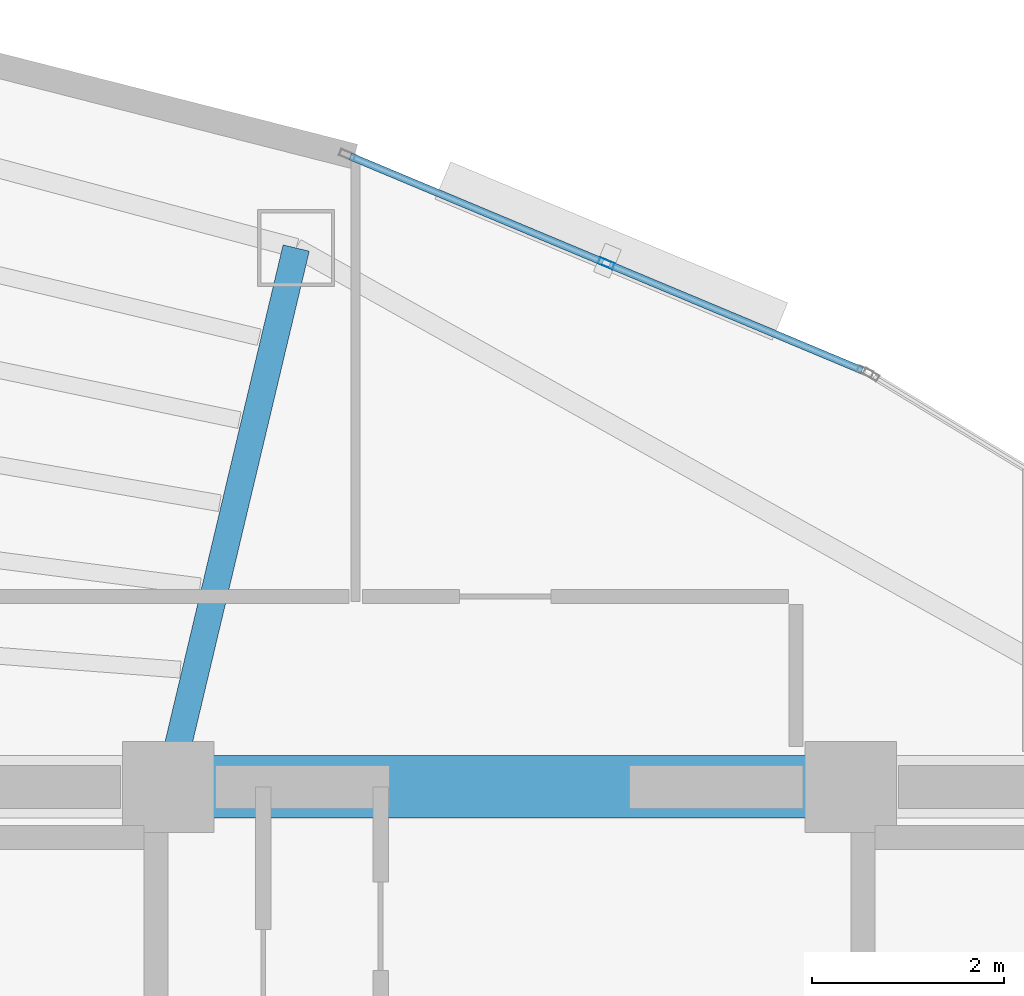
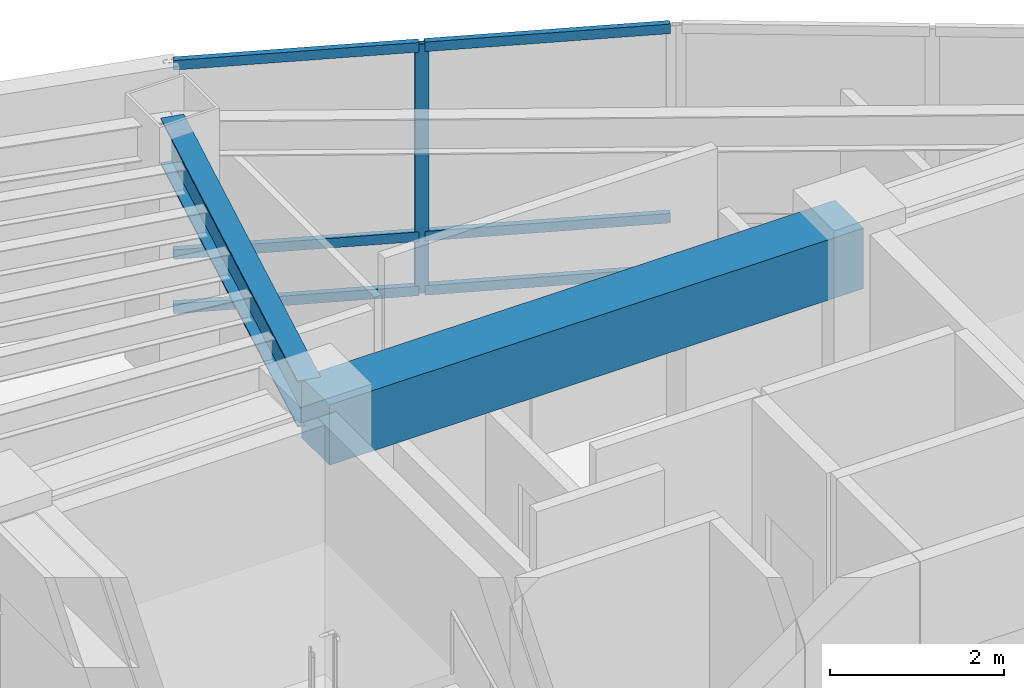
# One storey, part 8 of 15: 7 members, 2 beams, 1 element without a shape of its own.
"""IFC4 building model written with IfcOpenShell, lengths in metres."""

from ifc_helpers import new_model, si_unit, direction, frame, origin, origin_2d, place, context, subcontext, project, spatial, rectangle, hollow_rectangle, i_section, extrude, material, layer, layer_set, material_profile, profile_set, type_object, element, aggregate, save


model = new_model("IFC4")

# Units and contexts
model_context = context("Model", 3, precision=1e-05, world=origin(), true_north=direction((0.0, 1.0)))
body_context = subcontext(model_context, "Body", "Model", "MODEL_VIEW")
ifc_project = project(units=[si_unit("LENGTHUNIT", "METRE"), si_unit("AREAUNIT", "SQUARE_METRE"), si_unit("VOLUMEUNIT", "CUBIC_METRE"), si_unit("PLANEANGLEUNIT", "RADIAN"), si_unit("MASSUNIT", "GRAM", prefix="KILO")], contexts=[model_context])

# Site, building, storey
site_placement = place(None, origin())
site = spatial("IfcSite", under=ifc_project, at=site_placement, CompositionType="ELEMENT")
building_placement = place(site_placement, origin())
building = spatial("IfcBuilding", under=site, at=building_placement, Name="Menara Vayukalpa", CompositionType="ELEMENT")
storey_placement = place(building_placement, frame((0.0, 0.0, 291.780029296875)))
storey = spatial("IfcBuildingStorey", under=building, at=storey_placement, Name="L74", CompositionType="ELEMENT", Elevation=291.780029296875)

# Beams
ifc_material_1 = material(Name="Concrete C60/75", Category="concrete")
ifc_material_profile_1 = material_profile(ifc_material_1, rectangle(XDim=0.64990234375, YDim=0.85009765625, at=origin_2d()), Name="RC 650x850")
ifc_profile_set_1 = profile_set([ifc_material_profile_1], Name="Concrete C60/75")
beam_type_1 = type_object("IfcBeamType", Name="BM-CB1", PredefinedType="BEAM", material=ifc_profile_set_1)
beam_1_placement = place(storey_placement, frame((22.050048828125, 26.800048828125, 3.074951171875), z_axis=(1.0, 0.0, 0.0), x_axis=(0.0, 1.0, 0.0)))
element("IfcBeam", 1, at=beam_1_placement, inside=storey, type_object=beam_type_1, Name="L74 Core Tie Beam CBR5", PredefinedType="BEAM", context=body_context, shape_type="SweptSolid", body=[
    extrude(rectangle(XDim=0.64990234375, YDim=0.85009765625, at=origin_2d()), origin(), (0.0, 0.0, 1.0), 7.099853515625),
])
ifc_material_2 = material(Name="Steel S355", Category="steel")
ifc_material_profile_2 = material_profile(ifc_material_2, i_section(OverallWidth=0.280029296875, OverallDepth=0.64990234375, WebThickness=0.012939453125, FlangeThickness=0.02197265625, at=origin_2d()), Name="WF 650x280x13x22")
ifc_profile_set_2 = profile_set([ifc_material_profile_2], Name="Steel S355")
beam_type_2 = type_object("IfcBeamType", Name="BM-PG6", PredefinedType="BEAM", material=ifc_profile_set_2)
beam_2_placement = place(storey_placement, frame((22.10791015625, 27.043212890625, 3.175048828125), z_axis=(0.231167310854, 0.972914011818, 0.0), x_axis=(-0.972914011818, 0.231167310854, 0.0)))
element("IfcBeam", 2, at=beam_2_placement, inside=storey, type_object=beam_type_2, Name="L74 Primary Radial Girder RG03", PredefinedType="BEAM", context=body_context, shape_type="SweptSolid", body=[
    extrude(i_section(OverallWidth=0.280029296875, OverallDepth=0.64990234375, WebThickness=0.012939453125, FlangeThickness=0.02197265625, at=origin_2d()), origin(), (0.0, 0.0, 1.0), 5.5107421875),
])

# Curtain wall, members
ifc_material_3 = material(Name="Anodised Terracotta Aluminium Alloy 6063-T6", Category="masonry")
ifc_layer = layer(ifc_material_3, 0.1650390625)
ifc_layer_set = layer_set([ifc_layer], Name="Anodised Terracotta Aluminium Alloy 6063-T6")
curtain_wall_type = type_object("IfcCurtainWallType", Name="CW-CW6", PredefinedType="USERDEFINED", material=ifc_layer_set)
curtain_wall_placement = place(storey_placement, origin())
curtain_wall = element("IfcCurtainWall", 3, at=curtain_wall_placement, inside=storey, type_object=curtain_wall_type, Name="L74 Observation and Executive Curtain Wall CW6 05", ObjectType="UNITISED", PredefinedType="USERDEFINED")
ifc_material_4 = material(Name="Anodised Terracotta Aluminium Alloy 6063-T6", Category="masonry")
ifc_material_profile_3 = material_profile(ifc_material_4, hollow_rectangle(XDim=0.070068359375, YDim=0.1650390625, WallThickness=0.00390625, at=origin_2d()), Name="ALU 70x165x4")
ifc_profile_set_3 = profile_set([ifc_material_profile_3], Name="Anodised Terracotta Aluminium Alloy 6063-T6")
member_type_1 = type_object("IfcMemberType", Name="CWM-CW6", PredefinedType="MULLION", material=ifc_profile_set_3)
member_1_placement = place(storey_placement, frame((26.60595703125, 32.2451171875, 0.0), z_axis=(0.0, 0.0, 1.0), x_axis=(-0.385899911703, -0.922540653927, 0.0)))
member_1 = element("IfcMember", 4, at=member_1_placement, type_object=member_type_1, Name="CW6 mullion 2", PredefinedType="MULLION", context=body_context, shape_type="SweptSolid", body=[
    extrude(hollow_rectangle(XDim=0.070068359375, YDim=0.1650390625, WallThickness=0.00390625, at=origin_2d()), origin(), (0.0, 0.0, 1.0), 3.5),
])
ifc_material_5 = material(Name="Anodised Terracotta Aluminium Alloy 6063-T6", Category="masonry")
ifc_material_profile_4 = material_profile(ifc_material_5, hollow_rectangle(XDim=0.074951171875, YDim=0.135009765625, WallThickness=0.00390625, at=origin_2d()), Name="ALU 75x135x4")
ifc_profile_set_4 = profile_set([ifc_material_profile_4], Name="Anodised Terracotta Aluminium Alloy 6063-T6")
member_type_2 = type_object("IfcMemberType", Name="CWT-CW6", PredefinedType="USERDEFINED", material=ifc_profile_set_4)
member_2_placement = place(storey_placement, frame((29.266357421875, 31.13232421875, 0.037353515625), z_axis=(-0.922528286758, 0.385929475592, 0.0), x_axis=(-0.385929475592, -0.922528286758, 0.0)))
member_2 = element("IfcMember", 5, at=member_2_placement, type_object=member_type_2, Name="CW6 transom 1.1", ObjectType="TRANSOM", PredefinedType="USERDEFINED", context=body_context, shape_type="SweptSolid", body=[
    extrude(hollow_rectangle(XDim=0.074951171875, YDim=0.135009765625, WallThickness=0.00390625, at=origin_2d()), origin(), (0.0, 0.0, 1.0), 2.8486328125),
])
member_3_placement = place(storey_placement, frame((29.266357421875, 31.13232421875, 0.800048828125), z_axis=(-0.922528286758, 0.385929475592, 0.0), x_axis=(-0.385929475592, -0.922528286758, 0.0)))
member_3 = element("IfcMember", 6, at=member_3_placement, type_object=member_type_2, Name="CW6 transom 1.2", ObjectType="TRANSOM", PredefinedType="USERDEFINED", context=body_context, shape_type="SweptSolid", body=[
    extrude(hollow_rectangle(XDim=0.074951171875, YDim=0.135009765625, WallThickness=0.00390625, at=origin_2d()), origin(), (0.0, 0.0, 1.0), 2.8486328125),
])
member_4_placement = place(storey_placement, frame((29.266357421875, 31.13232421875, 3.46240234375), z_axis=(-0.922528286758, 0.385929475592, 0.0), x_axis=(-0.385929475592, -0.922528286758, 0.0)))
member_4 = element("IfcMember", 7, at=member_4_placement, type_object=member_type_2, Name="CW6 transom 1.3", ObjectType="TRANSOM", PredefinedType="USERDEFINED", context=body_context, shape_type="SweptSolid", body=[
    extrude(hollow_rectangle(XDim=0.074951171875, YDim=0.135009765625, WallThickness=0.00390625, at=origin_2d()), origin(), (0.0, 0.0, 1.0), 2.8486328125),
])
member_5_placement = place(storey_placement, frame((26.57373046875, 32.258544921875, 0.037353515625), z_axis=(-0.922541050276, 0.38589896418, 0.0), x_axis=(-0.38589896418, -0.922541050276, 0.0)))
member_5 = element("IfcMember", 8, at=member_5_placement, type_object=member_type_2, Name="CW6 transom 2.1", ObjectType="TRANSOM", PredefinedType="USERDEFINED", context=body_context, shape_type="SweptSolid", body=[
    extrude(hollow_rectangle(XDim=0.074951171875, YDim=0.135009765625, WallThickness=0.00390625, at=origin_2d()), origin(), (0.0, 0.0, 1.0), 2.848876953125),
])
member_6_placement = place(storey_placement, frame((26.57373046875, 32.258544921875, 0.800048828125), z_axis=(-0.922541050276, 0.38589896418, 0.0), x_axis=(-0.38589896418, -0.922541050276, 0.0)))
member_6 = element("IfcMember", 9, at=member_6_placement, type_object=member_type_2, Name="CW6 transom 2.2", ObjectType="TRANSOM", PredefinedType="USERDEFINED", context=body_context, shape_type="SweptSolid", body=[
    extrude(hollow_rectangle(XDim=0.074951171875, YDim=0.135009765625, WallThickness=0.00390625, at=origin_2d()), origin(), (0.0, 0.0, 1.0), 2.848876953125),
])
member_7_placement = place(storey_placement, frame((26.57373046875, 32.258544921875, 3.46240234375), z_axis=(-0.922541050276, 0.38589896418, 0.0), x_axis=(-0.38589896418, -0.922541050276, 0.0)))
member_7 = element("IfcMember", 10, at=member_7_placement, type_object=member_type_2, Name="CW6 transom 2.3", ObjectType="TRANSOM", PredefinedType="USERDEFINED", context=body_context, shape_type="SweptSolid", body=[
    extrude(hollow_rectangle(XDim=0.074951171875, YDim=0.135009765625, WallThickness=0.00390625, at=origin_2d()), origin(), (0.0, 0.0, 1.0), 2.848876953125),
])
aggregate(curtain_wall, [member_1, member_2, member_3, member_4, member_5, member_6, member_7])

save(model, "model.ifc")
